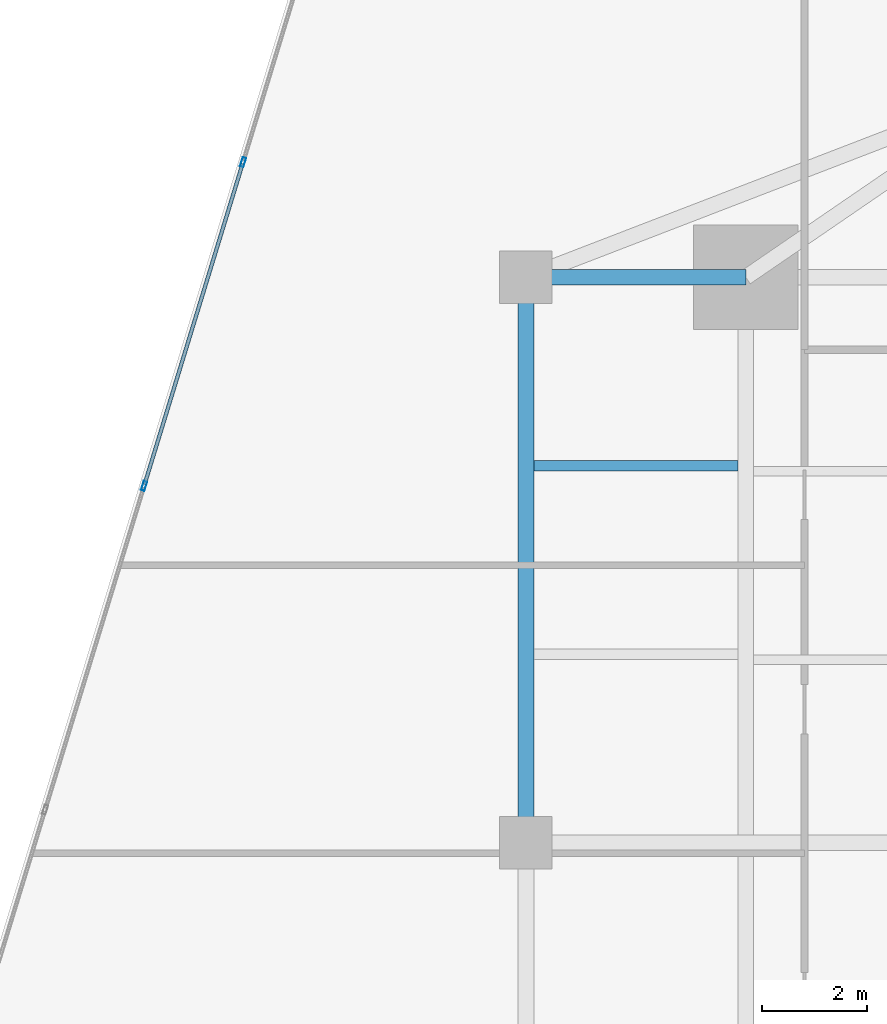
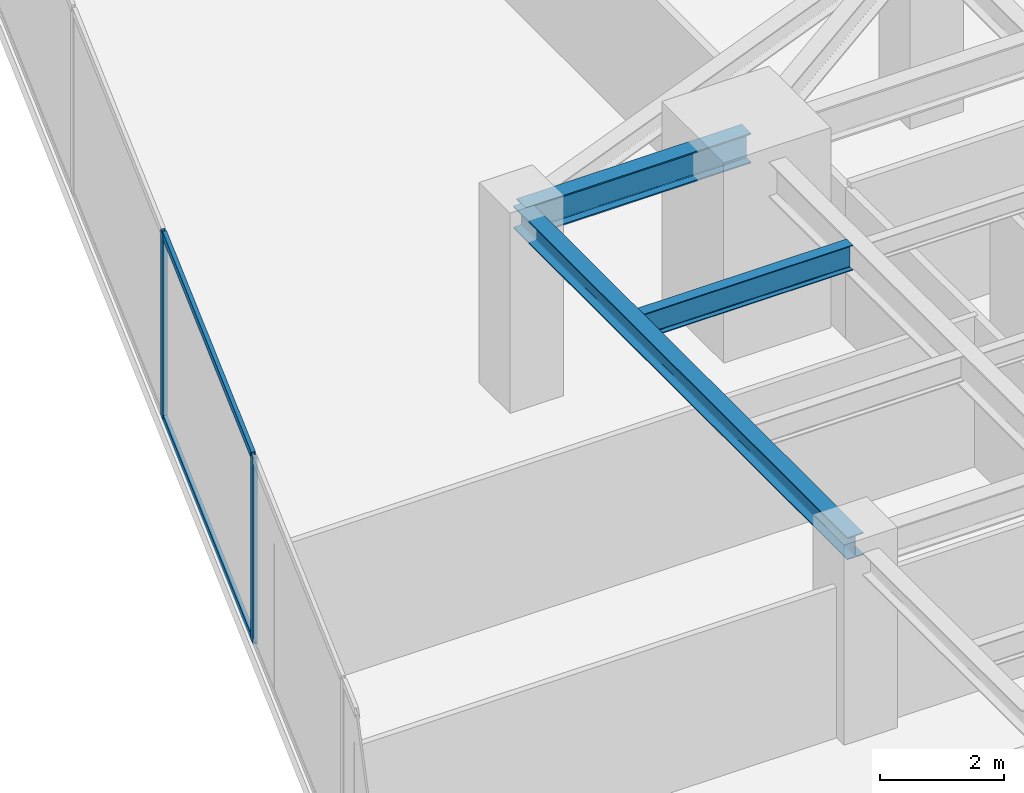
# One storey, part 13 of 26: 4 members, 3 beams, 1 element without a shape of its own.
"""IFC4 building model written with IfcOpenShell, lengths in metres."""

from ifc_helpers import new_model, si_unit, direction, frame, origin, origin_2d, place, context, subcontext, project, spatial, hollow_rectangle, i_section, extrude, source, transform, mapped, material, material_profile, profile_set, type_object, type_shapes, element, aggregate, save


model = new_model("IFC4")

# Units and contexts
model_context = context("Model", 3, precision=1e-05, world=origin(), true_north=direction((0.0, 1.0)))
body_context = subcontext(model_context, "Body", "Model", "MODEL_VIEW")
ifc_project = project(units=[si_unit("LENGTHUNIT", "METRE"), si_unit("AREAUNIT", "SQUARE_METRE"), si_unit("VOLUMEUNIT", "CUBIC_METRE"), si_unit("PLANEANGLEUNIT", "RADIAN"), si_unit("MASSUNIT", "GRAM", prefix="KILO")], contexts=[model_context])

# Site, building, storey
site_placement = place(None, origin())
site = spatial("IfcSite", under=ifc_project, at=site_placement, CompositionType="ELEMENT")
building_placement = place(site_placement, origin())
building = spatial("IfcBuilding", under=site, at=building_placement, Name="Krantzveldt Concourse Tower", CompositionType="ELEMENT")
storey_placement = place(building_placement, frame((0.0, 0.0, 109.800048828125)))
storey = spatial("IfcBuildingStorey", under=building, at=storey_placement, Name="L26", CompositionType="ELEMENT", Elevation=109.800048828125)

# Beams
ifc_material_1 = material(Name="Steel S355JR", Category="steel")
ifc_material_profile_1 = material_profile(ifc_material_1, i_section(OverallWidth=0.300048828125, OverallDepth=0.43994140625, WebThickness=0.011474609375, FlangeThickness=0.02099609375, FilletRadius=0.027099609375, at=origin_2d()), Name="Steel S355JR", Category="steel")
ifc_profile_set_1 = profile_set([ifc_material_profile_1], Name="Steel S355JR - HEA 450")
beam_type_1 = type_object("IfcBeamType", Name="BM-SP-HEA450", PredefinedType="SPANDREL", material=ifc_profile_set_1)
shared_shape_1 = source(origin(), body_context, "Body", "SweptSolid", [
    extrude(i_section(OverallWidth=0.300048828125, OverallDepth=0.43994140625, WebThickness=0.011474609375, FlangeThickness=0.02099609375, FilletRadius=0.027099609375, at=origin_2d()), origin(), (0.0, 0.0, 1.0), 10.800048828125),
])
type_shapes(beam_type_1, [shared_shape_1])
beam_1_placement = place(storey_placement, frame((21.0, 26.699951171875, 3.449951171875), z_axis=(0.0, 1.0, 0.0), x_axis=(-1.0, 0.0, 0.0)))
element("IfcBeam", 1, at=beam_1_placement, inside=storey, type_object=beam_type_1, Name="L26 Tower Girder SP-R02", PredefinedType="SPANDREL", context=body_context, shape_type="MappedRepresentation", body=[
    mapped(shared_shape_1, transform((0.0, 0.0, 0.0), x_axis=(1.0, 0.0, 0.0), y_axis=(0.0, 1.0, 0.0), z_axis=(0.0, 0.0, 1.0), scale=1.0)),
])
ifc_material_profile_2 = material_profile(ifc_material_1, i_section(OverallWidth=0.300048828125, OverallDepth=0.590087890625, WebThickness=0.012939453125, FlangeThickness=0.02490234375, FilletRadius=0.027099609375, at=origin_2d()), Name="Steel S355JR", Category="steel")
ifc_profile_set_2 = profile_set([ifc_material_profile_2], Name="Steel S355JR - HEA 600")
beam_type_2 = type_object("IfcBeamType", Name="BM-B-HEA600", PredefinedType="BEAM", material=ifc_profile_set_2)
shared_shape_2 = source(origin(), body_context, "Body", "SweptSolid", [
    extrude(i_section(OverallWidth=0.300048828125, OverallDepth=0.590087890625, WebThickness=0.012939453125, FlangeThickness=0.02490234375, FilletRadius=0.027099609375, at=origin_2d()), origin(), (0.0, 0.0, 1.0), 4.199951171875),
])
type_shapes(beam_type_2, [shared_shape_2])
beam_2_placement = place(storey_placement, frame((21.0, 37.5, 3.375), z_axis=(1.0, 0.0, 0.0), x_axis=(0.0, 1.0, 0.0)))
element("IfcBeam", 2, at=beam_2_placement, inside=storey, type_object=beam_type_2, Name="L26 Tower Girder BR-RL3", PredefinedType="BEAM", context=body_context, shape_type="MappedRepresentation", body=[
    mapped(shared_shape_2, transform((0.0, 0.0, 0.0), x_axis=(1.0, 0.0, 0.0), y_axis=(0.0, 1.0, 0.0), z_axis=(0.0, 0.0, 1.0), scale=1.0)),
])
ifc_material_profile_3 = material_profile(ifc_material_1, i_section(OverallWidth=0.199951171875, OverallDepth=0.5, WebThickness=0.01025390625, FlangeThickness=0.01611328125, FilletRadius=0.02099609375, at=origin_2d()), Name="Steel S355JR", Category="steel")
ifc_profile_set_3 = profile_set([ifc_material_profile_3], Name="Steel S355JR - IPE 500")
beam_type_3 = type_object("IfcBeamType", Name="BM-J-IPE500", PredefinedType="JOIST", material=ifc_profile_set_3)
shared_shape_3 = source(origin(), body_context, "Body", "SweptSolid", [
    extrude(i_section(OverallWidth=0.199951171875, OverallDepth=0.5, WebThickness=0.01025390625, FlangeThickness=0.01611328125, FilletRadius=0.02099609375, at=origin_2d()), origin(), (0.0, 0.0, 1.0), 3.900146484375),
])
type_shapes(beam_type_3, [shared_shape_3])
beam_3_placement = place(storey_placement, frame((21.14990234375, 33.89990234375, 3.419921875), z_axis=(1.0, 0.0, 0.0), x_axis=(0.0, 1.0, 0.0)))
element("IfcBeam", 3, at=beam_3_placement, inside=storey, type_object=beam_type_3, Name="L26 Secondary Floor Joist JW-4", PredefinedType="JOIST", context=body_context, shape_type="MappedRepresentation", body=[
    mapped(shared_shape_3, transform((0.0, 0.0, 0.0), x_axis=(1.0, 0.0, 0.0), y_axis=(0.0, 1.0, 0.0), z_axis=(0.0, 0.0, 1.0), scale=1.0)),
])

# Curtain wall, members
ifc_material_2 = material(Name="Anodised aluminium 6063-T6", Category="aluminium")
curtain_wall_type = type_object("IfcCurtainWallType", Name="CW2", PredefinedType="USERDEFINED", material=ifc_material_2)
curtain_wall_placement = place(storey_placement, origin())
curtain_wall = element("IfcCurtainWall", 4, at=curtain_wall_placement, inside=storey, type_object=curtain_wall_type, Name="CW-L26-F01", ObjectType="UNITISED CURTAIN WALL", PredefinedType="USERDEFINED")
ifc_material_profile_4 = material_profile(ifc_material_2, hollow_rectangle(XDim=0.070068359375, YDim=0.179931640625, WallThickness=0.0048828125, at=origin_2d()), Name="Anodised aluminium 6063-T6", Category="aluminium")
ifc_profile_set_4 = profile_set([ifc_material_profile_4], Name="Anodised aluminium 6063-T6 - ALU-MULL 180x70x5")
member_type_1 = type_object("IfcMemberType", Name="CW-MUL-180", PredefinedType="MULLION", material=ifc_profile_set_4)
shared_shape_4 = source(origin(), body_context, "Body", "SweptSolid", [
    extrude(hollow_rectangle(XDim=0.070068359375, YDim=0.179931640625, WallThickness=0.0048828125, at=origin_2d()), origin(), (0.0, 0.0, 1.0), 3.669921875),
])
type_shapes(member_type_1, [shared_shape_4])
member_1_placement = place(storey_placement, frame((15.59912109375, 39.69921875, 0.0), z_axis=(0.0, 0.0, 1.0), x_axis=(0.956304761423, -0.292371686864, 0.0)))
member_1 = element("IfcMember", 5, at=member_1_placement, type_object=member_type_1, Name="CW-Z12 mullion 3", PredefinedType="MULLION", context=body_context, shape_type="MappedRepresentation", body=[
    mapped(shared_shape_4, transform((0.0, 0.0, 0.0), x_axis=(1.0, 0.0, 0.0), y_axis=(0.0, 1.0, 0.0), z_axis=(0.0, 0.0, 1.0), scale=1.0)),
])
member_2_placement = place(storey_placement, frame((13.70849609375, 33.51513671875, 0.0), z_axis=(0.0, 0.0, 1.0), x_axis=(0.956304761423, -0.292371686864, 0.0)))
member_2 = element("IfcMember", 6, at=member_2_placement, type_object=member_type_1, Name="CW-Z12 mullion 4", PredefinedType="MULLION", context=body_context, shape_type="MappedRepresentation", body=[
    mapped(shared_shape_4, transform((0.0, 0.0, 0.0), x_axis=(1.0, 0.0, 0.0), y_axis=(0.0, 1.0, 0.0), z_axis=(0.0, 0.0, 1.0), scale=1.0)),
])
ifc_material_profile_5 = material_profile(ifc_material_2, hollow_rectangle(XDim=0.070068359375, YDim=0.139892578125, WallThickness=0.0048828125, at=origin_2d()), Name="Anodised aluminium 6063-T6", Category="aluminium")
ifc_profile_set_5 = profile_set([ifc_material_profile_5], Name="Anodised aluminium 6063-T6 - ALU-TRAN 140x70x5")
member_type_2 = type_object("IfcMemberType", Name="CW-TRN-150", PredefinedType="USERDEFINED", material=ifc_profile_set_5)
shared_shape_5 = source(origin(), body_context, "Body", "SweptSolid", [
    extrude(hollow_rectangle(XDim=0.070068359375, YDim=0.139892578125, WallThickness=0.0048828125, at=origin_2d()), origin(), (0.0, 0.0, 1.0), 6.396728515625),
])
type_shapes(member_type_2, [shared_shape_5])
member_3_placement = place(storey_placement, frame((15.5888671875, 39.665771484375, 0.034912109375), z_axis=(-0.292358163404, -0.956308895855, 0.0), x_axis=(0.956308895855, -0.292358163404, 0.0)))
member_3 = element("IfcMember", 7, at=member_3_placement, type_object=member_type_2, Name="CW-Z12 transom 3.1", ObjectType="TRANSOM", PredefinedType="USERDEFINED", context=body_context, shape_type="MappedRepresentation", body=[
    mapped(shared_shape_5, transform((0.0, 0.0, 0.0), x_axis=(1.0, 0.0, 0.0), y_axis=(0.0, 1.0, 0.0), z_axis=(0.0, 0.0, 1.0), scale=1.0)),
])
member_4_placement = place(storey_placement, frame((15.5888671875, 39.665771484375, 3.635009765625), z_axis=(-0.292358163404, -0.956308895855, 0.0), x_axis=(0.956308895855, -0.292358163404, 0.0)))
member_4 = element("IfcMember", 8, at=member_4_placement, type_object=member_type_2, Name="CW-Z12 transom 3.2", ObjectType="TRANSOM", PredefinedType="USERDEFINED", context=body_context, shape_type="MappedRepresentation", body=[
    mapped(shared_shape_5, transform((0.0, 0.0, 0.0), x_axis=(1.0, 0.0, 0.0), y_axis=(0.0, 1.0, 0.0), z_axis=(0.0, 0.0, 1.0), scale=1.0)),
])
aggregate(curtain_wall, [member_1, member_2, member_3, member_4])

save(model, "model.ifc")
